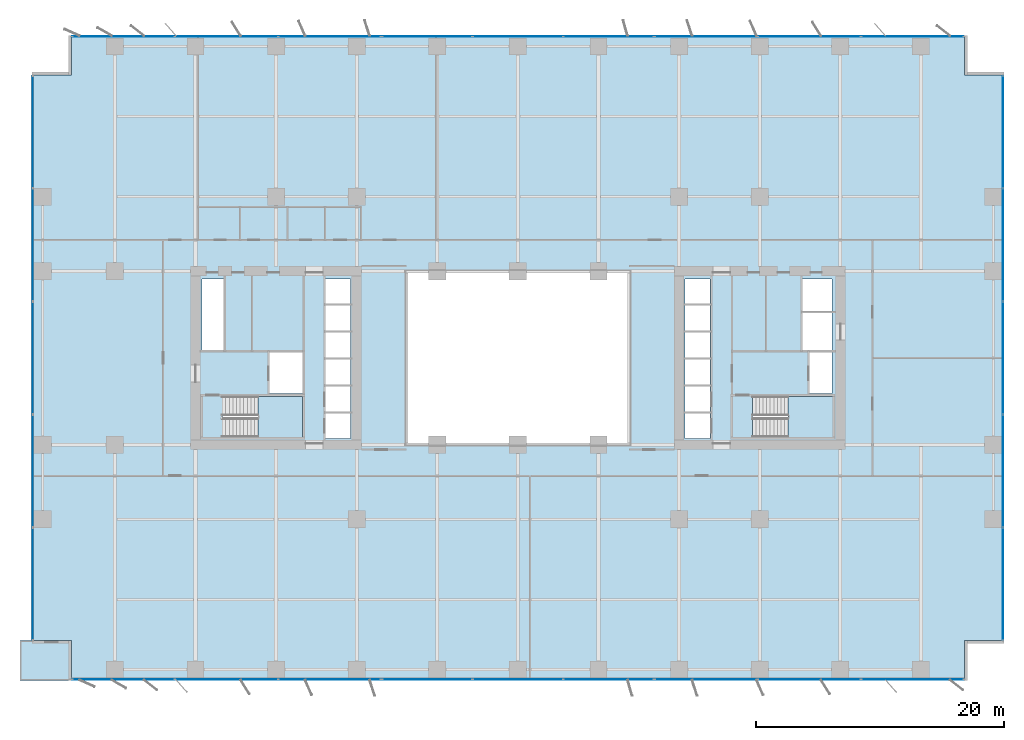
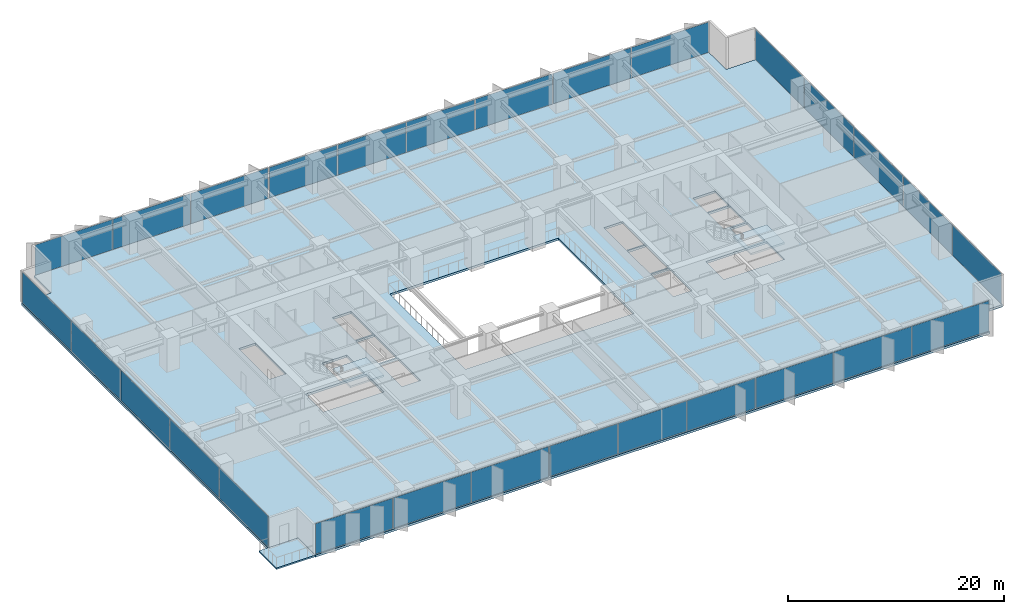
# One storey, part 12 of 20: 28 plates, 4 slabs, 10 elements without a shape of their own.
"""IFC4 building model written with IfcOpenShell, lengths in metres."""

import ifcopenshell
import ifcopenshell.guid

model = None  # the IFC model being written
_history = None  # IfcOwnerHistory: only IFC2X3 demands one
_inside = {}  # id of a spatial element -> (the spatial element, [elements in it])
_under = {}  # id of a project, library or spatial element -> (it, [spatial elements below it])
_declared = {}  # id of a project -> (the project, [libraries it declares])
_typed = {}  # id of a type object -> (the type object, [elements of that type])
_made_of = {}  # id of a material, layer set ... -> (it, [elements and type objects made of it])


def new_model(schema):
    """Start an empty IFC model of exactly this schema.

    Asked for "IFC4X3", IfcOpenShell would pick the latest addendum, in which some entities
    have other attributes; the version numbers below select the first issue.
    IFC2X3 requires an IfcOwnerHistory on every rooted entity: one is made here for all.
    """
    global model, _history
    if schema == "IFC4X3":
        model = ifcopenshell.file(schema_version=(4, 3, 0, 0))
    else:
        model = ifcopenshell.file(schema=schema)
    _inside.clear()
    _under.clear()
    _declared.clear()
    _typed.clear()
    _made_of.clear()
    _history = None
    if model.schema == "IFC2X3":
        org = make("IfcOrganization", Name="unknown")
        user = make(
            "IfcPersonAndOrganization",
            ThePerson=make("IfcPerson", FamilyName="unknown"),
            TheOrganization=org,
        )
        app = make(
            "IfcApplication",
            ApplicationDeveloper=org,
            Version="unknown",
            ApplicationFullName="unknown",
            ApplicationIdentifier="unknown",
        )
        _history = make(
            "IfcOwnerHistory",
            OwningUser=user,
            OwningApplication=app,
            ChangeAction="ADDED",
            CreationDate=0,
        )
    return model


def make(cls, **values):
    """One entity of the class cls with the attributes given. An attribute that is None is left unset."""
    return model.create_entity(
        cls, **{name: value for name, value in values.items() if value is not None}
    )


def rooted(cls, **values):
    """An entity with a GlobalId (a new one), such as an element, a storey or a relation."""
    return make(cls, GlobalId=ifcopenshell.guid.new(), OwnerHistory=_history, **values)


def si_unit(unit_type, name, prefix=None):
    """IfcSIUnit, for example si_unit("LENGTHUNIT", "METRE", prefix="MILLI")."""
    return make("IfcSIUnit", UnitType=unit_type, Prefix=prefix, Name=name)


def assignment(units):
    """IfcUnitAssignment: the units of a project."""
    return None if units is None else make("IfcUnitAssignment", Units=units)


def point(xyz):
    """IfcCartesianPoint."""
    return None if xyz is None else make("IfcCartesianPoint", Coordinates=xyz)


def direction(xyz):
    """IfcDirection."""
    return None if xyz is None else make("IfcDirection", DirectionRatios=xyz)


def frame(location, z_axis=None, x_axis=None):
    """IfcAxis2Placement3D, a coordinate frame: its origin and axes. An axis left out is left unset."""
    return make(
        "IfcAxis2Placement3D",
        Location=point(location),
        Axis=direction(z_axis),
        RefDirection=direction(x_axis),
    )


def frame_2d(location, x_axis=None):
    """IfcAxis2Placement2D, a coordinate frame in the plane: its origin and x axis."""
    return make(
        "IfcAxis2Placement2D", Location=point(location), RefDirection=direction(x_axis)
    )


def origin():
    """The frame at (0, 0, 0) with its axes left unset."""
    return frame((0.0, 0.0, 0.0))


def origin_2d():
    """The frame at (0, 0) in the plane with its x axis left unset."""
    return frame_2d((0.0, 0.0))


def place(relative_to, where):
    """IfcLocalPlacement: puts the frame where relative to a parent placement (None: the world)."""
    return make(
        "IfcLocalPlacement", PlacementRelTo=relative_to, RelativePlacement=where
    )


def context(
    kind, dimensions, precision=None, world=None, true_north=None, identifier=None
):
    """IfcGeometricRepresentationContext, for example the 3D "Model" context."""
    return make(
        "IfcGeometricRepresentationContext",
        ContextIdentifier=identifier,
        ContextType=kind,
        CoordinateSpaceDimension=dimensions,
        Precision=precision,
        WorldCoordinateSystem=world,
        TrueNorth=true_north,
    )


def subcontext(parent, identifier, kind, view, scale=None):
    """IfcGeometricRepresentationSubContext, for example "Body" below "Model"."""
    return make(
        "IfcGeometricRepresentationSubContext",
        ContextIdentifier=identifier,
        ContextType=kind,
        ParentContext=parent,
        TargetScale=scale,
        TargetView=view,
    )


def project(units=None, contexts=None):
    """IfcProject with its units and contexts."""
    return rooted(
        "IfcProject",
        Name="project",
        RepresentationContexts=contexts,
        UnitsInContext=assignment(units),
    )


def spatial(cls, under=None, at=None, **own):
    """A site, building, storey or space (cls), placed at a placement, below another one or the project."""
    s = rooted(cls, ObjectPlacement=at, **own)
    if under is not None:
        _under.setdefault(under.id(), (under, []))[1].append(s)
    return s


def polyline(points):
    """IfcPolyline through the points."""
    return make("IfcPolyline", Points=[point(p) for p in points])


def profile(cls, at=None, kind="AREA", **sizes):
    """A parametric profile (cls). Its sizes go by their IFC names, for example OverallWidth=200.0."""
    return make(cls, ProfileType=kind, Position=at, **sizes)


def rectangle(**sizes):
    """IfcRectangleProfileDef."""
    return profile("IfcRectangleProfileDef", **sizes)


def outline(outer, holes=None, kind="AREA"):
    """IfcArbitraryClosedProfileDef: a profile drawn as a closed curve; with holes, ...WithVoids."""
    if holes is None:
        return make("IfcArbitraryClosedProfileDef", ProfileType=kind, OuterCurve=outer)
    return make(
        "IfcArbitraryProfileDefWithVoids",
        ProfileType=kind,
        OuterCurve=outer,
        InnerCurves=holes,
    )


def extrude(swept, where, along, depth):
    """IfcExtrudedAreaSolid: the profile swept, set in the frame where, extruded along a direction by depth."""
    return make(
        "IfcExtrudedAreaSolid",
        SweptArea=swept,
        Position=where,
        ExtrudedDirection=direction(along),
        Depth=depth,
    )


def shape(context_of_items, identifier, shape_type, items):
    """IfcShapeRepresentation: the items that make up one representation, for example the "Body"."""
    return make(
        "IfcShapeRepresentation",
        ContextOfItems=context_of_items,
        RepresentationIdentifier=identifier,
        RepresentationType=shape_type,
        Items=items,
    )


def material(Name=None, Category=None):
    """IfcMaterial."""
    return make("IfcMaterial", Name=Name, Category=Category)


def layer(
    of_material, thickness, ventilated=None, Name=None, Category=None, Priority=None
):
    """IfcMaterialLayer: one layer of a wall or slab, of a material (None: an air gap)."""
    return make(
        "IfcMaterialLayer",
        Material=of_material,
        LayerThickness=thickness,
        IsVentilated=ventilated,
        Name=Name,
        Category=Category,
        Priority=Priority,
    )


def layer_set(layers, Name=None):
    """IfcMaterialLayerSet."""
    return make("IfcMaterialLayerSet", MaterialLayers=layers, LayerSetName=Name)


def made_of(thing, what):
    """Note that an element or type object is made of a material, layer set ...; save() writes the relation."""
    if what is not None:
        _made_of.setdefault(what.id(), (what, []))[1].append(thing)
    return thing


def type_object(cls, material=None, **own):
    """A type object (cls), such as IfcWallType, which elements share."""
    return made_of(rooted(cls, **own), material)


def element(
    cls,
    number,
    at=None,
    inside=None,
    cuts=None,
    type_object=None,
    material=None,
    context=None,
    identifier="Body",
    shape_type=None,
    held_by="IfcProductDefinitionShape",
    body=None,
    shapes=None,
    **own,
):
    """One element of the class cls, such as IfcWall. Its Tag is "e" and its number.

    at: its placement. inside: the storey or other place that contains it. cuts: it is an
    opening in that element (IfcRelVoidsElement). A single representation is given by context,
    identifier, shape_type and body (its items); several are given by shapes. held_by: the class
    of the entity that holds the representations. save() writes the other relations.
    """
    e = rooted(cls, Tag="e%d" % number, ObjectPlacement=at, **own)
    if body is not None:
        shapes = [shape(context, identifier, shape_type, body)]
    if shapes is not None:
        e.Representation = make(held_by, Representations=shapes)
    if inside is not None:
        _inside.setdefault(inside.id(), (inside, []))[1].append(e)
    if cuts is not None:
        rooted(
            "IfcRelVoidsElement", RelatingBuildingElement=cuts, RelatedOpeningElement=e
        )
    if type_object is not None:
        _typed.setdefault(type_object.id(), (type_object, []))[1].append(e)
    return made_of(e, material)


def aggregate(whole, parts):
    """IfcRelAggregates: a whole, such as a stair, and the parts it consists of."""
    return rooted("IfcRelAggregates", RelatingObject=whole, RelatedObjects=parts)


def save(model, path):
    """Write the relations noted so far, then the file.

    IfcRelAggregates (storeys below a building ...), IfcRelContainedInSpatialStructure (elements
    in a storey), IfcRelDefinesByType, IfcRelAssociatesMaterial and IfcRelDeclares: one each for
    every whole, place, type object, material and project.
    """
    for whole, parts in _under.values():
        aggregate(whole, parts)
    for where, things in _inside.values():
        rooted(
            "IfcRelContainedInSpatialStructure",
            RelatedElements=things,
            RelatingStructure=where,
        )
    for kind, things in _typed.values():
        rooted("IfcRelDefinesByType", RelatedObjects=things, RelatingType=kind)
    for what, things in _made_of.values():
        rooted("IfcRelAssociatesMaterial", RelatedObjects=things, RelatingMaterial=what)
    for by, libraries in _declared.values():
        rooted("IfcRelDeclares", RelatingContext=by, RelatedDefinitions=libraries)
    model.write(path)


model = new_model("IFC4")

# Units and contexts
model_context = context("Model", 3, precision=1e-05, world=origin(), true_north=direction((0.0, 1.0)))
body_context = subcontext(model_context, "Body", "Model", "MODEL_VIEW")
ifc_project = project(units=[si_unit("LENGTHUNIT", "METRE"), si_unit("AREAUNIT", "SQUARE_METRE"), si_unit("VOLUMEUNIT", "CUBIC_METRE"), si_unit("PLANEANGLEUNIT", "RADIAN"), si_unit("MASSUNIT", "GRAM", prefix="KILO")], contexts=[model_context])

# Site, building, storey
site_placement = place(None, origin())
site = spatial("IfcSite", under=ifc_project, at=site_placement, CompositionType="ELEMENT")
building_placement = place(site_placement, origin())
building = spatial("IfcBuilding", under=site, at=building_placement, Name="Putna Gate Headquarters", CompositionType="ELEMENT")
storey_placement = place(building_placement, frame((0.0, 0.0, 31.60009765625)))
storey = spatial("IfcBuildingStorey", under=building, at=storey_placement, Name="L06", CompositionType="ELEMENT", Elevation=31.60009765625)

# Stair, slab
ifc_material_1 = material(Name="Concrete C40/50", Category="concrete")
stair_type_1 = type_object("IfcStairType", Name="STAIR-ST1", PredefinedType="HALF_TURN_STAIR", material=ifc_material_1)
stair_1_placement = place(storey_placement, origin())
stair_1 = element("IfcStair", 1, at=stair_1_placement, inside=storey, type_object=stair_type_1, Name="L06 West Core Exit Stair ST1", PredefinedType="HALF_TURN_STAIR")
ifc_layer_1 = layer(ifc_material_1, 0.199951171875)
ifc_layer_set_1 = layer_set([ifc_layer_1], Name="Concrete C40/50")
slab_type_1 = type_object("IfcSlabType", Name="LANDING-ST1", PredefinedType="LANDING", material=ifc_layer_set_1)
slab_1_placement = place(storey_placement, frame((0.0, 0.0, 1.699951171875)))
slab_1 = element("IfcSlab", 2, at=slab_1_placement, type_object=slab_type_1, Name="ST1 landing 1", PredefinedType="LANDING", context=body_context, shape_type="SweptSolid", body=[
    extrude(outline(polyline([(18.050048828125, 19.60009765625), (21.64990234375, 19.60009765625), (21.64990234375, 22.89990234375), (18.050048828125, 22.89990234375), (18.050048828125, 19.60009765625)])), origin(), (0.0, 0.0, 1.0), 0.199951171875),
])
aggregate(stair_1, [slab_1])

stair_type_2 = type_object("IfcStairType", Name="STAIR-ST2", PredefinedType="HALF_TURN_STAIR", material=ifc_material_1)
stair_2_placement = place(storey_placement, origin())
stair_2 = element("IfcStair", 3, at=stair_2_placement, inside=storey, type_object=stair_type_2, Name="L06 East Core Exit Stair ST2", PredefinedType="HALF_TURN_STAIR")
ifc_layer_2 = layer(ifc_material_1, 0.199951171875)
ifc_layer_set_2 = layer_set([ifc_layer_2], Name="Concrete C40/50")
slab_type_2 = type_object("IfcSlabType", Name="LANDING-ST2", PredefinedType="LANDING", material=ifc_layer_set_2)
slab_2_placement = place(storey_placement, frame((0.0, 0.0, 1.699951171875)))
slab_2 = element("IfcSlab", 4, at=slab_2_placement, type_object=slab_type_2, Name="ST2 landing 1", PredefinedType="LANDING", context=body_context, shape_type="SweptSolid", body=[
    extrude(outline(polyline([(60.800048828125, 19.60009765625), (64.39990234375, 19.60009765625), (64.39990234375, 22.89990234375), (60.800048828125, 22.89990234375), (60.800048828125, 19.60009765625)])), origin(), (0.0, 0.0, 1.0), 0.199951171875),
])
aggregate(stair_2, [slab_2])

# Curtain wall, plates
ifc_material_2 = material(Name="Anodised bronze aluminium curtain wall", Category="aluminium")
ifc_layer_3 = layer(ifc_material_2, 0.179931640625)
ifc_layer_set_3 = layer_set([ifc_layer_3], Name="Anodised bronze aluminium curtain wall")
curtain_wall_type_1 = type_object("IfcCurtainWallType", Name="CW-SYS-Z1", PredefinedType="USERDEFINED", material=ifc_layer_set_3)
curtain_wall_1_placement = place(storey_placement, origin())
curtain_wall_1 = element("IfcCurtainWall", 5, at=curtain_wall_1_placement, inside=storey, type_object=curtain_wall_type_1, Name="L06 South West Curtain Wall", ObjectType="STICK CURTAIN WALL", PredefinedType="USERDEFINED")
ifc_material_3 = material(Name="Solar-control triple low-E glass", Category="glass")
ifc_layer_4 = layer(ifc_material_3, 0.031982421875)
ifc_layer_set_4 = layer_set([ifc_layer_4], Name="Solar-control triple low-E glass")
plate_type_1 = type_object("IfcPlateType", Name="PAN-CWP-1", PredefinedType="CURTAIN_PANEL", material=ifc_layer_set_4)
plate_1_placement = place(storey_placement, frame((7.18408203125, 0.080078125, 0.06494140625), z_axis=(0.0, 0.0, 1.0), x_axis=(1.0, 0.0, 0.0)))
plate_1 = element("IfcPlate", 6, at=plate_1_placement, type_object=plate_type_1, Name="CWS-1 panel 1.1", PredefinedType="CURTAIN_PANEL", context=body_context, shape_type="SweptSolid", body=[
    extrude(rectangle(XDim=8.228271484375, YDim=0.031982421875, at=origin_2d()), origin(), (0.0, 0.0, 1.0), 3.419921875),
])
plate_2_placement = place(storey_placement, frame((15.5, 0.080078125, 0.06494140625), z_axis=(0.0, 0.0, 1.0), x_axis=(1.0, 0.0, 0.0)))
plate_2 = element("IfcPlate", 7, at=plate_2_placement, type_object=plate_type_1, Name="CWS-1 panel 2.1", PredefinedType="CURTAIN_PANEL", context=body_context, shape_type="SweptSolid", body=[
    extrude(rectangle(XDim=8.263427734375, YDim=0.031982421875, at=origin_2d()), origin(), (0.0, 0.0, 1.0), 3.419921875),
])
plate_3_placement = place(storey_placement, frame((23.81591796875, 0.080078125, 0.06494140625), z_axis=(0.0, 0.0, 1.0), x_axis=(1.0, 0.0, 0.0)))
plate_3 = element("IfcPlate", 8, at=plate_3_placement, type_object=plate_type_1, Name="CWS-1 panel 3.1", PredefinedType="CURTAIN_PANEL", context=body_context, shape_type="SweptSolid", body=[
    extrude(rectangle(XDim=8.228271484375, YDim=0.031982421875, at=origin_2d()), origin(), (0.0, 0.0, 1.0), 3.419921875),
])
aggregate(curtain_wall_1, [plate_1, plate_2, plate_3])

curtain_wall_2_placement = place(storey_placement, origin())
curtain_wall_2 = element("IfcCurtainWall", 9, at=curtain_wall_2_placement, inside=storey, type_object=curtain_wall_type_1, Name="L06 South East Curtain Wall", ObjectType="STICK CURTAIN WALL", PredefinedType="USERDEFINED")
plate_4_placement = place(storey_placement, frame((54.18408203125, 0.080078125, 0.06494140625), z_axis=(0.0, 0.0, 1.0), x_axis=(1.0, 0.0, 0.0)))
plate_4 = element("IfcPlate", 10, at=plate_4_placement, type_object=plate_type_1, Name="CWS-1 panel 1.1", PredefinedType="CURTAIN_PANEL", context=body_context, shape_type="SweptSolid", body=[
    extrude(rectangle(XDim=8.228271484375, YDim=0.031982421875, at=origin_2d()), origin(), (0.0, 0.0, 1.0), 3.419921875),
])
plate_5_placement = place(storey_placement, frame((62.5, 0.080078125, 0.06494140625), z_axis=(0.0, 0.0, 1.0), x_axis=(1.0, 0.0, 0.0)))
plate_5 = element("IfcPlate", 11, at=plate_5_placement, type_object=plate_type_1, Name="CWS-1 panel 2.1", PredefinedType="CURTAIN_PANEL", context=body_context, shape_type="SweptSolid", body=[
    extrude(rectangle(XDim=8.263427734375, YDim=0.031982421875, at=origin_2d()), origin(), (0.0, 0.0, 1.0), 3.419921875),
])
plate_6_placement = place(storey_placement, frame((70.81591796875, 0.080078125, 0.06494140625), z_axis=(0.0, 0.0, 1.0), x_axis=(1.0, 0.0, 0.0)))
plate_6 = element("IfcPlate", 12, at=plate_6_placement, type_object=plate_type_1, Name="CWS-1 panel 3.1", PredefinedType="CURTAIN_PANEL", context=body_context, shape_type="SweptSolid", body=[
    extrude(rectangle(XDim=8.228271484375, YDim=0.031982421875, at=origin_2d()), origin(), (0.0, 0.0, 1.0), 3.419921875),
])
aggregate(curtain_wall_2, [plate_4, plate_5, plate_6])

curtain_wall_3_placement = place(storey_placement, origin())
curtain_wall_3 = element("IfcCurtainWall", 13, at=curtain_wall_3_placement, inside=storey, type_object=curtain_wall_type_1, Name="L06 North West Curtain Wall", ObjectType="STICK CURTAIN WALL", PredefinedType="USERDEFINED")
plate_7_placement = place(storey_placement, frame((7.18408203125, 51.919921875, 0.06494140625), z_axis=(0.0, 0.0, 1.0), x_axis=(1.0, 0.0, 0.0)))
plate_7 = element("IfcPlate", 14, at=plate_7_placement, type_object=plate_type_1, Name="CWS-1 panel 1.1", PredefinedType="CURTAIN_PANEL", context=body_context, shape_type="SweptSolid", body=[
    extrude(rectangle(XDim=8.228271484375, YDim=0.031982421875, at=origin_2d()), origin(), (0.0, 0.0, 1.0), 3.419921875),
])
plate_8_placement = place(storey_placement, frame((15.5, 51.919921875, 0.06494140625), z_axis=(0.0, 0.0, 1.0), x_axis=(1.0, 0.0, 0.0)))
plate_8 = element("IfcPlate", 15, at=plate_8_placement, type_object=plate_type_1, Name="CWS-1 panel 2.1", PredefinedType="CURTAIN_PANEL", context=body_context, shape_type="SweptSolid", body=[
    extrude(rectangle(XDim=8.263427734375, YDim=0.031982421875, at=origin_2d()), origin(), (0.0, 0.0, 1.0), 3.419921875),
])
plate_9_placement = place(storey_placement, frame((23.81591796875, 51.919921875, 0.06494140625), z_axis=(0.0, 0.0, 1.0), x_axis=(1.0, 0.0, 0.0)))
plate_9 = element("IfcPlate", 16, at=plate_9_placement, type_object=plate_type_1, Name="CWS-1 panel 3.1", PredefinedType="CURTAIN_PANEL", context=body_context, shape_type="SweptSolid", body=[
    extrude(rectangle(XDim=8.228271484375, YDim=0.031982421875, at=origin_2d()), origin(), (0.0, 0.0, 1.0), 3.419921875),
])
aggregate(curtain_wall_3, [plate_7, plate_8, plate_9])

curtain_wall_4_placement = place(storey_placement, origin())
curtain_wall_4 = element("IfcCurtainWall", 17, at=curtain_wall_4_placement, inside=storey, type_object=curtain_wall_type_1, Name="L06 North East Curtain Wall", ObjectType="STICK CURTAIN WALL", PredefinedType="USERDEFINED")
plate_10_placement = place(storey_placement, frame((54.18408203125, 51.919921875, 0.06494140625), z_axis=(0.0, 0.0, 1.0), x_axis=(1.0, 0.0, 0.0)))
plate_10 = element("IfcPlate", 18, at=plate_10_placement, type_object=plate_type_1, Name="CWS-1 panel 1.1", PredefinedType="CURTAIN_PANEL", context=body_context, shape_type="SweptSolid", body=[
    extrude(rectangle(XDim=8.228271484375, YDim=0.031982421875, at=origin_2d()), origin(), (0.0, 0.0, 1.0), 3.419921875),
])
plate_11_placement = place(storey_placement, frame((62.5, 51.919921875, 0.06494140625), z_axis=(0.0, 0.0, 1.0), x_axis=(1.0, 0.0, 0.0)))
plate_11 = element("IfcPlate", 19, at=plate_11_placement, type_object=plate_type_1, Name="CWS-1 panel 2.1", PredefinedType="CURTAIN_PANEL", context=body_context, shape_type="SweptSolid", body=[
    extrude(rectangle(XDim=8.263427734375, YDim=0.031982421875, at=origin_2d()), origin(), (0.0, 0.0, 1.0), 3.419921875),
])
plate_12_placement = place(storey_placement, frame((70.81591796875, 51.919921875, 0.06494140625), z_axis=(0.0, 0.0, 1.0), x_axis=(1.0, 0.0, 0.0)))
plate_12 = element("IfcPlate", 20, at=plate_12_placement, type_object=plate_type_1, Name="CWS-1 panel 3.1", PredefinedType="CURTAIN_PANEL", context=body_context, shape_type="SweptSolid", body=[
    extrude(rectangle(XDim=8.228271484375, YDim=0.031982421875, at=origin_2d()), origin(), (0.0, 0.0, 1.0), 3.419921875),
])
aggregate(curtain_wall_4, [plate_10, plate_11, plate_12])

curtain_wall_5_placement = place(storey_placement, origin())
curtain_wall_5 = element("IfcCurtainWall", 21, at=curtain_wall_5_placement, inside=storey, type_object=curtain_wall_type_1, Name="L06 West Curtain Wall", ObjectType="STICK CURTAIN WALL", PredefinedType="USERDEFINED")
plate_13_placement = place(storey_placement, frame((-0.1201171875, 7.777587890625, 0.06494140625), z_axis=(0.0, 0.0, 1.0), x_axis=(0.0, 1.0, 0.0)))
plate_13 = element("IfcPlate", 22, at=plate_13_placement, type_object=plate_type_1, Name="CWS-1 panel 1.1", PredefinedType="CURTAIN_PANEL", context=body_context, shape_type="SweptSolid", body=[
    extrude(rectangle(XDim=9.014892578125, YDim=0.031982421875, at=origin_2d()), origin(), (0.0, 0.0, 1.0), 3.419921875),
])
plate_14_placement = place(storey_placement, frame((-0.1201171875, 16.8798828125, 0.06494140625), z_axis=(0.0, 0.0, 1.0), x_axis=(0.0, 1.0, 0.0)))
plate_14 = element("IfcPlate", 23, at=plate_14_placement, type_object=plate_type_1, Name="CWS-1 panel 2.1", PredefinedType="CURTAIN_PANEL", context=body_context, shape_type="SweptSolid", body=[
    extrude(rectangle(XDim=9.050048828125, YDim=0.031982421875, at=origin_2d()), origin(), (0.0, 0.0, 1.0), 3.419921875),
])
plate_15_placement = place(storey_placement, frame((-0.1201171875, 26.0, 0.06494140625), z_axis=(0.0, 0.0, 1.0), x_axis=(0.0, 1.0, 0.0)))
plate_15 = element("IfcPlate", 24, at=plate_15_placement, type_object=plate_type_1, Name="CWS-1 panel 3.1", PredefinedType="CURTAIN_PANEL", context=body_context, shape_type="SweptSolid", body=[
    extrude(rectangle(XDim=9.050048828125, YDim=0.031982421875, at=origin_2d()), origin(), (0.0, 0.0, 1.0), 3.419921875),
])
plate_16_placement = place(storey_placement, frame((-0.1201171875, 35.1201171875, 0.06494140625), z_axis=(0.0, 0.0, 1.0), x_axis=(0.0, 1.0, 0.0)))
plate_16 = element("IfcPlate", 25, at=plate_16_placement, type_object=plate_type_1, Name="CWS-1 panel 4.1", PredefinedType="CURTAIN_PANEL", context=body_context, shape_type="SweptSolid", body=[
    extrude(rectangle(XDim=9.050048828125, YDim=0.031982421875, at=origin_2d()), origin(), (0.0, 0.0, 1.0), 3.419921875),
])
plate_17_placement = place(storey_placement, frame((-0.1201171875, 44.222412109375, 0.06494140625), z_axis=(0.0, 0.0, 1.0), x_axis=(0.0, 1.0, 0.0)))
plate_17 = element("IfcPlate", 26, at=plate_17_placement, type_object=plate_type_1, Name="CWS-1 panel 5.1", PredefinedType="CURTAIN_PANEL", context=body_context, shape_type="SweptSolid", body=[
    extrude(rectangle(XDim=9.014892578125, YDim=0.031982421875, at=origin_2d()), origin(), (0.0, 0.0, 1.0), 3.419921875),
])
aggregate(curtain_wall_5, [plate_13, plate_14, plate_15, plate_16, plate_17])

curtain_wall_6_placement = place(storey_placement, origin())
curtain_wall_6 = element("IfcCurtainWall", 27, at=curtain_wall_6_placement, inside=storey, type_object=curtain_wall_type_1, Name="L06 East Curtain Wall", ObjectType="STICK CURTAIN WALL", PredefinedType="USERDEFINED")
plate_18_placement = place(storey_placement, frame((78.1201171875, 7.777587890625, 0.06494140625), z_axis=(0.0, 0.0, 1.0), x_axis=(0.0, 1.0, 0.0)))
plate_18 = element("IfcPlate", 28, at=plate_18_placement, type_object=plate_type_1, Name="CWS-1 panel 1.1", PredefinedType="CURTAIN_PANEL", context=body_context, shape_type="SweptSolid", body=[
    extrude(rectangle(XDim=9.014892578125, YDim=0.031982421875, at=origin_2d()), origin(), (0.0, 0.0, 1.0), 3.419921875),
])
plate_19_placement = place(storey_placement, frame((78.1201171875, 16.8798828125, 0.06494140625), z_axis=(0.0, 0.0, 1.0), x_axis=(0.0, 1.0, 0.0)))
plate_19 = element("IfcPlate", 29, at=plate_19_placement, type_object=plate_type_1, Name="CWS-1 panel 2.1", PredefinedType="CURTAIN_PANEL", context=body_context, shape_type="SweptSolid", body=[
    extrude(rectangle(XDim=9.050048828125, YDim=0.031982421875, at=origin_2d()), origin(), (0.0, 0.0, 1.0), 3.419921875),
])
plate_20_placement = place(storey_placement, frame((78.1201171875, 26.0, 0.06494140625), z_axis=(0.0, 0.0, 1.0), x_axis=(0.0, 1.0, 0.0)))
plate_20 = element("IfcPlate", 30, at=plate_20_placement, type_object=plate_type_1, Name="CWS-1 panel 3.1", PredefinedType="CURTAIN_PANEL", context=body_context, shape_type="SweptSolid", body=[
    extrude(rectangle(XDim=9.050048828125, YDim=0.031982421875, at=origin_2d()), origin(), (0.0, 0.0, 1.0), 3.419921875),
])
plate_21_placement = place(storey_placement, frame((78.1201171875, 35.1201171875, 0.06494140625), z_axis=(0.0, 0.0, 1.0), x_axis=(0.0, 1.0, 0.0)))
plate_21 = element("IfcPlate", 31, at=plate_21_placement, type_object=plate_type_1, Name="CWS-1 panel 4.1", PredefinedType="CURTAIN_PANEL", context=body_context, shape_type="SweptSolid", body=[
    extrude(rectangle(XDim=9.050048828125, YDim=0.031982421875, at=origin_2d()), origin(), (0.0, 0.0, 1.0), 3.419921875),
])
plate_22_placement = place(storey_placement, frame((78.1201171875, 44.222412109375, 0.06494140625), z_axis=(0.0, 0.0, 1.0), x_axis=(0.0, 1.0, 0.0)))
plate_22 = element("IfcPlate", 32, at=plate_22_placement, type_object=plate_type_1, Name="CWS-1 panel 5.1", PredefinedType="CURTAIN_PANEL", context=body_context, shape_type="SweptSolid", body=[
    extrude(rectangle(XDim=9.014892578125, YDim=0.031982421875, at=origin_2d()), origin(), (0.0, 0.0, 1.0), 3.419921875),
])
aggregate(curtain_wall_6, [plate_18, plate_19, plate_20, plate_21, plate_22])

ifc_layer_5 = layer(ifc_material_2, 0.179931640625)
ifc_layer_set_5 = layer_set([ifc_layer_5], Name="Anodised bronze aluminium curtain wall")
curtain_wall_type_2 = type_object("IfcCurtainWallType", Name="CW-SYS-ATR", PredefinedType="USERDEFINED", material=ifc_layer_set_5)
curtain_wall_7_placement = place(storey_placement, origin())
curtain_wall_7 = element("IfcCurtainWall", 33, at=curtain_wall_7_placement, inside=storey, type_object=curtain_wall_type_2, Name="L06 South Atrium Clear Glazing", ObjectType="ATRIUM GLAZING", PredefinedType="USERDEFINED")
ifc_material_4 = material(Name="Clear low-iron triple glazing", Category="glass")
ifc_layer_6 = layer(ifc_material_4, 0.0400390625)
ifc_layer_set_6 = layer_set([ifc_layer_6], Name="Clear low-iron triple glazing")
plate_type_2 = type_object("IfcPlateType", Name="PAN-CWP-AT", PredefinedType="CURTAIN_PANEL", material=ifc_layer_set_6)
plate_23_placement = place(storey_placement, frame((31.68408203125, 0.080078125, 0.06982421875), z_axis=(0.0, 0.0, 1.0), x_axis=(1.0, 0.0, 0.0)))
plate_23 = element("IfcPlate", 34, at=plate_23_placement, type_object=plate_type_2, Name="CWS-AT panel 1.1", PredefinedType="CURTAIN_PANEL", context=body_context, shape_type="SweptSolid", body=[
    extrude(rectangle(XDim=7.228271484375, YDim=0.0400390625, at=origin_2d()), origin(), (0.0, 0.0, 1.0), 3.409912109375),
])
plate_24_placement = place(storey_placement, frame((39.0, 0.080078125, 0.06982421875), z_axis=(0.0, 0.0, 1.0), x_axis=(1.0, 0.0, 0.0)))
plate_24 = element("IfcPlate", 35, at=plate_24_placement, type_object=plate_type_2, Name="CWS-AT panel 2.1", PredefinedType="CURTAIN_PANEL", context=body_context, shape_type="SweptSolid", body=[
    extrude(rectangle(XDim=7.263427734375, YDim=0.0400390625, at=origin_2d()), origin(), (0.0, 0.0, 1.0), 3.409912109375),
])
plate_25_placement = place(storey_placement, frame((46.31591796875, 0.080078125, 0.06982421875), z_axis=(0.0, 0.0, 1.0), x_axis=(1.0, 0.0, 0.0)))
plate_25 = element("IfcPlate", 36, at=plate_25_placement, type_object=plate_type_2, Name="CWS-AT panel 3.1", PredefinedType="CURTAIN_PANEL", context=body_context, shape_type="SweptSolid", body=[
    extrude(rectangle(XDim=7.228271484375, YDim=0.0400390625, at=origin_2d()), origin(), (0.0, 0.0, 1.0), 3.409912109375),
])
aggregate(curtain_wall_7, [plate_23, plate_24, plate_25])

curtain_wall_8_placement = place(storey_placement, origin())
curtain_wall_8 = element("IfcCurtainWall", 37, at=curtain_wall_8_placement, inside=storey, type_object=curtain_wall_type_2, Name="L06 North Atrium Clear Glazing", ObjectType="ATRIUM GLAZING", PredefinedType="USERDEFINED")
plate_26_placement = place(storey_placement, frame((31.68408203125, 51.919921875, 0.06982421875), z_axis=(0.0, 0.0, 1.0), x_axis=(1.0, 0.0, 0.0)))
plate_26 = element("IfcPlate", 38, at=plate_26_placement, type_object=plate_type_2, Name="CWS-AT panel 1.1", PredefinedType="CURTAIN_PANEL", context=body_context, shape_type="SweptSolid", body=[
    extrude(rectangle(XDim=7.228271484375, YDim=0.0400390625, at=origin_2d()), origin(), (0.0, 0.0, 1.0), 3.409912109375),
])
plate_27_placement = place(storey_placement, frame((39.0, 51.919921875, 0.06982421875), z_axis=(0.0, 0.0, 1.0), x_axis=(1.0, 0.0, 0.0)))
plate_27 = element("IfcPlate", 39, at=plate_27_placement, type_object=plate_type_2, Name="CWS-AT panel 2.1", PredefinedType="CURTAIN_PANEL", context=body_context, shape_type="SweptSolid", body=[
    extrude(rectangle(XDim=7.263427734375, YDim=0.0400390625, at=origin_2d()), origin(), (0.0, 0.0, 1.0), 3.409912109375),
])
plate_28_placement = place(storey_placement, frame((46.31591796875, 51.919921875, 0.06982421875), z_axis=(0.0, 0.0, 1.0), x_axis=(1.0, 0.0, 0.0)))
plate_28 = element("IfcPlate", 40, at=plate_28_placement, type_object=plate_type_2, Name="CWS-AT panel 3.1", PredefinedType="CURTAIN_PANEL", context=body_context, shape_type="SweptSolid", body=[
    extrude(rectangle(XDim=7.228271484375, YDim=0.0400390625, at=origin_2d()), origin(), (0.0, 0.0, 1.0), 3.409912109375),
])
aggregate(curtain_wall_8, [plate_26, plate_27, plate_28])

# Slabs
ifc_layer_7 = layer(ifc_material_1, 0.179931640625)
ifc_layer_set_7 = layer_set([ifc_layer_7], Name="Concrete C40/50")
slab_type_3 = type_object("IfcSlabType", Name="SLAB-TERRACE-180", PredefinedType="FLOOR", material=ifc_layer_set_7)
slab_3_placement = place(storey_placement, frame((0.0, 0.0, -0.18017578125)))
element("IfcSlab", 41, at=slab_3_placement, inside=storey, type_object=slab_type_3, Name="L06 Spiral Sky-Garden Terrace Slab (SW)", PredefinedType="FLOOR", context=body_context, shape_type="SweptSolid", body=[
    extrude(outline(polyline([(-1.14990234375, 0.0), (3.008056640625, 0.0), (3.008056640625, 3.2080078125), (-1.14990234375, 3.2080078125), (-1.14990234375, 0.0)])), origin(), (0.0, 0.0, 1.0), 0.18017578125),
])
ifc_layer_8 = layer(ifc_material_1, 0.25)
ifc_layer_set_8 = layer_set([ifc_layer_8], Name="Concrete C40/50")
slab_type_4 = type_object("IfcSlabType", Name="SLAB-Z1-250", PredefinedType="FLOOR", material=ifc_layer_set_8)
slab_4_placement = place(storey_placement, frame((0.0, 0.0, -0.25)))
element("IfcSlab", 42, at=slab_4_placement, inside=storey, type_object=slab_type_4, Name="L06 Composite Floor Slab", PredefinedType="FLOOR", context=body_context, shape_type="SweptSolid", body=[
    extrude(outline(polyline([(3.0, 0.0), (75.0, 0.0), (75.0, 3.199951171875), (78.199951171875, 3.199951171875), (78.199951171875, 48.800048828125), (75.0, 48.800048828125), (75.0, 52.0), (3.0, 52.0), (3.0, 48.800048828125), (-0.199951171875, 48.800048828125), (-0.199951171875, 3.199951171875), (3.0, 3.199951171875), (3.0, 0.0)]), holes=[polyline([(15.1650390625, 19.60009765625), (21.64990234375, 19.60009765625), (21.64990234375, 22.89990234375), (15.1650390625, 22.89990234375), (15.1650390625, 19.60009765625)]), polyline([(57.9150390625, 19.60009765625), (64.39990234375, 19.60009765625), (64.39990234375, 22.89990234375), (57.9150390625, 22.89990234375), (57.9150390625, 19.60009765625)]), polyline([(13.52001953125, 26.659912109375), (15.280029296875, 26.659912109375), (15.280029296875, 32.35009765625), (13.52001953125, 32.35009765625), (13.52001953125, 26.659912109375)]), polyline([(61.969970703125, 29.780029296875), (64.35009765625, 29.780029296875), (64.35009765625, 32.35009765625), (61.969970703125, 32.35009765625), (61.969970703125, 29.780029296875)]), polyline([(18.97998046875, 23.1201171875), (21.6201171875, 23.1201171875), (21.6201171875, 26.4599609375), (18.97998046875, 26.4599609375), (18.97998046875, 23.1201171875)]), polyline([(62.52001953125, 23.1201171875), (64.35009765625, 23.1201171875), (64.35009765625, 26.4599609375), (62.52001953125, 26.4599609375), (62.52001953125, 23.1201171875)]), polyline([(61.969970703125, 26.659912109375), (64.35009765625, 26.659912109375), (64.35009765625, 29.6201171875), (61.969970703125, 29.6201171875), (61.969970703125, 26.659912109375)]), polyline([(23.5, 19.52001953125), (25.5, 19.52001953125), (25.5, 23.699951171875), (23.5, 23.699951171875), (23.5, 19.52001953125)]), polyline([(52.47998046875, 19.52001953125), (54.5, 19.52001953125), (54.5, 23.699951171875), (52.47998046875, 23.699951171875), (52.47998046875, 19.52001953125)]), polyline([(23.5, 23.860107421875), (25.5, 23.860107421875), (25.5, 28.0400390625), (23.5, 28.0400390625), (23.5, 23.860107421875)]), polyline([(52.47998046875, 23.860107421875), (54.5, 23.860107421875), (54.5, 28.0400390625), (52.47998046875, 28.0400390625), (52.47998046875, 23.860107421875)]), polyline([(23.5, 28.199951171875), (25.5, 28.199951171875), (25.5, 32.35009765625), (23.5, 32.35009765625), (23.5, 28.199951171875)]), polyline([(52.47998046875, 28.199951171875), (54.5, 28.199951171875), (54.5, 32.35009765625), (52.47998046875, 32.35009765625), (52.47998046875, 28.199951171875)]), polyline([(30.0, 19.0), (48.0, 19.0), (48.0, 33.0), (30.0, 33.0), (30.0, 19.0)])]), origin(), (0.0, 0.0, 1.0), 0.25),
])

save(model, "model.ifc")
